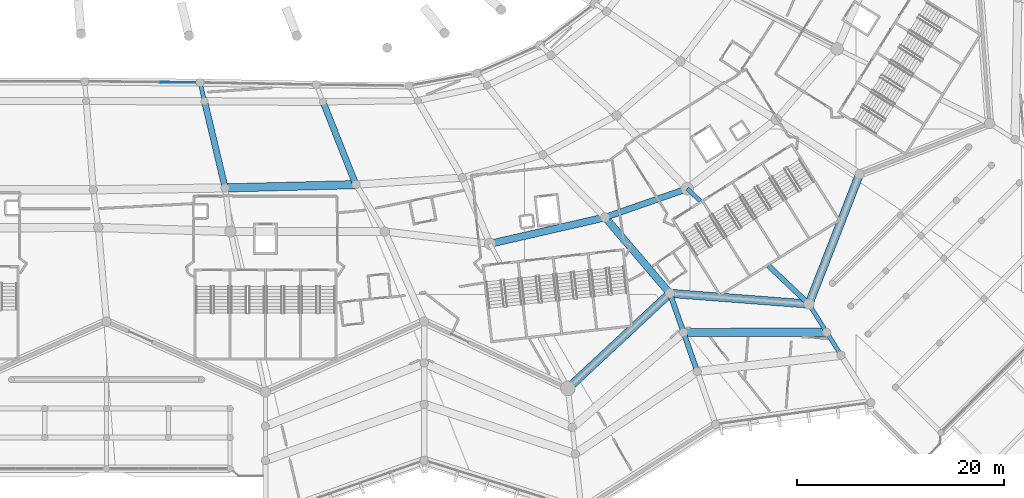
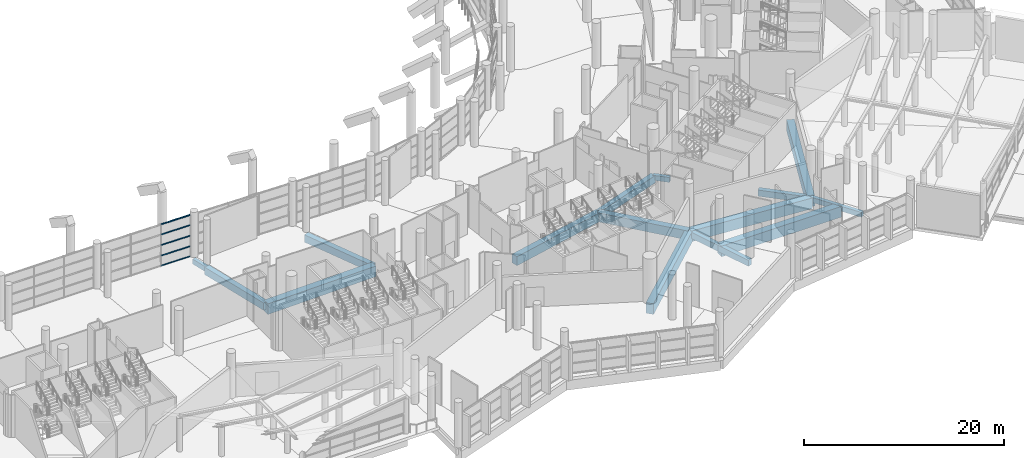
# One storey, part 43 of 271: 17 beams, 5 members, 1 element without a shape of its own.
"""IFC4 building model written with IfcOpenShell, lengths in metres."""

from ifc_helpers import new_model, si_unit, direction, frame, origin, origin_2d, place, context, subcontext, project, spatial, rectangle, extrude, material, layer, layer_set, material_profile, profile_set, type_object, element, aggregate, save


model = new_model("IFC4")

# Units and contexts
model_context = context("Model", 3, precision=1e-05, world=origin(), true_north=direction((0.0, 1.0)))
body_context = subcontext(model_context, "Body", "Model", "MODEL_VIEW")
ifc_project = project(units=[si_unit("LENGTHUNIT", "METRE"), si_unit("AREAUNIT", "SQUARE_METRE"), si_unit("VOLUMEUNIT", "CUBIC_METRE"), si_unit("PLANEANGLEUNIT", "RADIAN"), si_unit("MASSUNIT", "GRAM", prefix="KILO")], contexts=[model_context])

# Site, building, storey
site_placement = place(None, origin())
site = spatial("IfcSite", under=ifc_project, at=site_placement, CompositionType="ELEMENT")
building_placement = place(site_placement, origin())
building = spatial("IfcBuilding", under=site, at=building_placement, Name="Meseta Stadium", CompositionType="ELEMENT")
storey_placement = place(building_placement, frame((0.0, 0.0, 6.5)))
storey = spatial("IfcBuildingStorey", under=building, at=storey_placement, Name="L01", CompositionType="ELEMENT", Elevation=6.5)

# Curtain wall, members
ifc_material_1 = material(Name="Aluminium", Category="aluminium")
ifc_layer = layer(ifc_material_1, 0.199951171875)
ifc_layer_set = layer_set([ifc_layer], Name="Club glazing curtain wall")
curtain_wall_type = type_object("IfcCurtainWallType", Name="Club glazing curtain wall", PredefinedType="NOTDEFINED", material=ifc_layer_set)
curtain_wall_placement = place(storey_placement, origin())
curtain_wall = element("IfcCurtainWall", 1, at=curtain_wall_placement, inside=storey, type_object=curtain_wall_type, Name="Club glazing bay 47", PredefinedType="NOTDEFINED")
ifc_material_2 = material(Name="Aluminium", Category="aluminium")
ifc_material_profile_1 = material_profile(ifc_material_2, rectangle(XDim=0.06005859375, YDim=0.1201171875, at=origin_2d()), Name="CW 60x120")
ifc_profile_set_1 = profile_set([ifc_material_profile_1], Name="Aluminium")
member_type = type_object("IfcMemberType", Name="CW transom 60x120", PredefinedType="USERDEFINED", material=ifc_profile_set_1)
member_1_placement = place(storey_placement, frame((12.880615234375, -75.490234375, 0.06005859375), z_axis=(0.999947433941, -0.010253260722, 0.0), x_axis=(0.010253260722, 0.999947433941, 0.0)))
member_1 = element("IfcMember", 2, at=member_1_placement, type_object=member_type, Name="CWC transom 3.1", ObjectType="TRANSOM", PredefinedType="USERDEFINED", context=body_context, shape_type="SweptSolid", body=[
    extrude(rectangle(XDim=0.06005859375, YDim=0.1201171875, at=origin_2d()), origin(), (0.0, 0.0, 1.0), 3.357421875),
])
member_2_placement = place(storey_placement, frame((12.880615234375, -75.490234375, 1.28759765625), z_axis=(0.999947433941, -0.010253260722, 0.0), x_axis=(0.010253260722, 0.999947433941, 0.0)))
member_2 = element("IfcMember", 3, at=member_2_placement, type_object=member_type, Name="CWC transom 3.2", ObjectType="TRANSOM", PredefinedType="USERDEFINED", context=body_context, shape_type="SweptSolid", body=[
    extrude(rectangle(XDim=0.06005859375, YDim=0.1201171875, at=origin_2d()), origin(), (0.0, 0.0, 1.0), 3.357421875),
])
member_3_placement = place(storey_placement, frame((12.880615234375, -75.490234375, 2.574951171875), z_axis=(0.999947433941, -0.010253260722, 0.0), x_axis=(0.010253260722, 0.999947433941, 0.0)))
member_3 = element("IfcMember", 4, at=member_3_placement, type_object=member_type, Name="CWC transom 3.3", ObjectType="TRANSOM", PredefinedType="USERDEFINED", context=body_context, shape_type="SweptSolid", body=[
    extrude(rectangle(XDim=0.06005859375, YDim=0.1201171875, at=origin_2d()), origin(), (0.0, 0.0, 1.0), 3.357421875),
])
member_4_placement = place(storey_placement, frame((12.880615234375, -75.490234375, 3.862548828125), z_axis=(0.999947433941, -0.010253260722, 0.0), x_axis=(0.010253260722, 0.999947433941, 0.0)))
member_4 = element("IfcMember", 5, at=member_4_placement, type_object=member_type, Name="CWC transom 3.4", ObjectType="TRANSOM", PredefinedType="USERDEFINED", context=body_context, shape_type="SweptSolid", body=[
    extrude(rectangle(XDim=0.06005859375, YDim=0.1201171875, at=origin_2d()), origin(), (0.0, 0.0, 1.0), 3.357421875),
])
member_5_placement = place(storey_placement, frame((12.880615234375, -75.490234375, 5.090087890625), z_axis=(0.999947433941, -0.010253260722, 0.0), x_axis=(0.010253260722, 0.999947433941, 0.0)))
member_5 = element("IfcMember", 6, at=member_5_placement, type_object=member_type, Name="CWC transom 3.5", ObjectType="TRANSOM", PredefinedType="USERDEFINED", context=body_context, shape_type="SweptSolid", body=[
    extrude(rectangle(XDim=0.06005859375, YDim=0.1201171875, at=origin_2d()), origin(), (0.0, 0.0, 1.0), 3.357421875),
])
aggregate(curtain_wall, [member_1, member_2, member_3, member_4, member_5])

# Beams
ifc_material_3 = material(Name="Concrete C40/50", Category="concrete")
ifc_material_profile_2 = material_profile(ifc_material_3, rectangle(XDim=0.39990234375, YDim=0.60009765625, at=origin_2d()), Name="RC 400x600")
ifc_profile_set_2 = profile_set([ifc_material_profile_2], Name="Concrete C40/50")
beam_type_1 = type_object("IfcBeamType", Name="RC beam 400x600", PredefinedType="BEAM", material=ifc_profile_set_2)
beam_1_placement = place(storey_placement, frame((16.697509765625, -75.529296875, -0.64990234375), z_axis=(0.231608653228, -0.97280904177, 0.0), x_axis=(0.97280904177, 0.231608653228, 0.0)))
element("IfcBeam", 7, at=beam_1_placement, inside=storey, type_object=beam_type_1, Name="L01 radial beam frame 48 line C to D", PredefinedType="BEAM", context=body_context, shape_type="SweptSolid", body=[
    extrude(rectangle(XDim=0.39990234375, YDim=0.60009765625, at=origin_2d()), origin(), (0.0, 0.0, 1.0), 1.85302734375),
])
beam_2_placement = place(storey_placement, frame((63.731201171875, -85.77099609375, -0.64990234375), z_axis=(0.725600801439, -0.688115889187, 0.0), x_axis=(0.688115889187, 0.725600801439, 0.0)))
element("IfcBeam", 8, at=beam_2_placement, inside=storey, type_object=beam_type_1, Name="L01 radial beam frame 52 line P to R", PredefinedType="BEAM", context=body_context, shape_type="SweptSolid", body=[
    extrude(rectangle(XDim=0.39990234375, YDim=0.60009765625, at=origin_2d()), origin(), (0.0, 0.0, 1.0), 1.732421875),
])
beam_3_placement = place(storey_placement, frame((75.474609375, -96.908447265625, -0.64990234375), z_axis=(0.532008453304, -0.846739042216, 0.0), x_axis=(0.846739042216, 0.532008453304, 0.0)))
element("IfcBeam", 9, at=beam_3_placement, inside=storey, type_object=beam_type_1, Name="L01 radial beam frame 52 line R to M", PredefinedType="BEAM", context=body_context, shape_type="SweptSolid", body=[
    extrude(rectangle(XDim=0.39990234375, YDim=0.60009765625, at=origin_2d()), origin(), (0.0, 0.0, 1.0), 3.21923828125),
])
beam_4_placement = place(storey_placement, frame((77.187255859375, -99.63427734375, -0.64990234375), z_axis=(0.532083725107, -0.84669174407, 0.0), x_axis=(0.84669174407, 0.532083725107, 0.0)))
element("IfcBeam", 10, at=beam_4_placement, inside=storey, type_object=beam_type_1, Name="L01 radial beam frame 52 line M to Q", PredefinedType="BEAM", context=body_context, shape_type="SweptSolid", body=[
    extrude(rectangle(XDim=0.39990234375, YDim=0.60009765625, at=origin_2d()), origin(), (0.0, 0.0, 1.0), 2.619140625),
])
ifc_material_4 = material(Name="Concrete C40/50", Category="concrete")
ifc_material_profile_3 = material_profile(ifc_material_4, rectangle(XDim=0.5, YDim=0.75, at=origin_2d()), Name="RC 500x750")
ifc_profile_set_3 = profile_set([ifc_material_profile_3], Name="Concrete C40/50")
beam_type_2 = type_object("IfcBeamType", Name="RC beam 500x750", PredefinedType="BEAM", material=ifc_profile_set_3)
beam_5_placement = place(storey_placement, frame((71.57958984375, -93.214599609375, -0.72509765625), z_axis=(0.725596444109, -0.688120483852, 0.0), x_axis=(0.688120483852, 0.725596444109, 0.0)))
element("IfcBeam", 11, at=beam_5_placement, inside=storey, type_object=beam_type_2, Name="L01 radial beam frame 52 line P to R", PredefinedType="BEAM", context=body_context, shape_type="SweptSolid", body=[
    extrude(rectangle(XDim=0.5, YDim=0.75, at=origin_2d()), origin(), (0.0, 0.0, 1.0), 5.367919921875),
])
for number, where, z_axis, x_axis, name in (
    (12, (62.051513671875, -95.872802734375, -0.72509765625), (0.330328674497, -0.943865968666, 0.0), (0.943865968666, 0.330328674497, 0.0), "L01 radial beam frame 51 line R to M"),
    (13, (63.372802734375, -99.648193359375, -0.72509765625), (0.330255269735, -0.94389165523, 0.0), (0.94389165523, 0.330255269735, 0.0), "L01 radial beam frame 51 line M to Q"),
):
    element("IfcBeam", number, at=place(storey_placement, frame(where, z_axis=z_axis, x_axis=x_axis)), inside=storey, type_object=beam_type_2, Name=name, PredefinedType="BEAM", context=body_context, shape_type="SweptSolid", body=[
        extrude(rectangle(XDim=0.5, YDim=0.75, at=origin_2d()), origin(), (0.0, 0.0, 1.0), 4.0),
    ])
ifc_material_5 = material(Name="Concrete C40/50", Category="concrete")
ifc_material_profile_4 = material_profile(ifc_material_5, rectangle(XDim=0.60009765625, YDim=0.89990234375, at=origin_2d()), Name="RC 600x900")
ifc_profile_set_4 = profile_set([ifc_material_profile_4], Name="Concrete C40/50")
beam_type_3 = type_object("IfcBeamType", Name="RC beam 600x900", PredefinedType="BEAM", material=ifc_profile_set_4)
beam_6_placement = place(storey_placement, frame((55.799560546875, -88.541748046875, -0.800048828125), z_axis=(0.944055708451, 0.329786020537, 0.0), x_axis=(-0.329786020537, 0.944055708451, 0.0)))
element("IfcBeam", 14, at=beam_6_placement, inside=storey, type_object=beam_type_3, Name="L01 ring beam frame 51 line P", PredefinedType="BEAM", context=body_context, shape_type="SweptSolid", body=[
    extrude(rectangle(XDim=0.60009765625, YDim=0.89990234375, at=origin_2d()), origin(), (0.0, 0.0, 1.0), 8.401611328125),
])
beam_7_placement = place(storey_placement, frame((17.126708984375, -77.33203125, -0.800048828125), z_axis=(0.23161924801, -0.972806519279, 0.0), x_axis=(0.972806519279, 0.23161924801, 0.0)))
element("IfcBeam", 15, at=beam_7_placement, inside=storey, type_object=beam_type_3, Name="L01 radial beam frame 48 line D to E", PredefinedType="BEAM", context=body_context, shape_type="SweptSolid", body=[
    extrude(rectangle(XDim=0.60009765625, YDim=0.89990234375, at=origin_2d()), origin(), (0.0, 0.0, 1.0), 8.60009765625),
])
beam_8_placement = place(storey_placement, frame((28.564697265625, -77.38330078125, -0.800048828125), z_axis=(0.36885875695, -0.929485458424, 0.0), x_axis=(0.929485458424, 0.36885875695, 0.0)))
element("IfcBeam", 16, at=beam_8_placement, inside=storey, type_object=beam_type_3, Name="L01 radial beam frame 49 line D to E", PredefinedType="BEAM", context=body_context, shape_type="SweptSolid", body=[
    extrude(rectangle(XDim=0.60009765625, YDim=0.89990234375, at=origin_2d()), origin(), (0.0, 0.0, 1.0), 8.599853515625),
])
ifc_material_6 = material(Name="Concrete C40/50", Category="concrete")
ifc_material_profile_5 = material_profile(ifc_material_6, rectangle(XDim=0.699951171875, YDim=1.10009765625, at=origin_2d()), Name="RC 700x1100")
ifc_profile_set_5 = profile_set([ifc_material_profile_5], Name="Concrete C40/50")
beam_type_4 = type_object("IfcBeamType", Name="RC beam 700x1100", PredefinedType="BEAM", material=ifc_profile_set_5)
beam_9_placement = place(storey_placement, frame((44.6826171875, -91.0908203125, -0.89990234375), z_axis=(0.974704832518, 0.22349606141, 0.0), x_axis=(-0.22349606141, 0.974704832518, 0.0)))
element("IfcBeam", 17, at=beam_9_placement, inside=storey, type_object=beam_type_4, Name="L01 ring beam frame 50 line P", PredefinedType="BEAM", context=body_context, shape_type="SweptSolid", body=[
    extrude(rectangle(XDim=0.699951171875, YDim=1.10009765625, at=origin_2d()), origin(), (0.0, 0.0, 1.0), 11.405517578125),
])
beam_10_placement = place(storey_placement, frame((55.799560546875, -88.541748046875, -0.89990234375), z_axis=(0.648886206148, -0.760885465409, 0.0), x_axis=(0.760885465409, 0.648886206148, 0.0)))
element("IfcBeam", 18, at=beam_10_placement, inside=storey, type_object=beam_type_4, Name="L01 radial beam frame 51 line P to R", PredefinedType="BEAM", context=body_context, shape_type="SweptSolid", body=[
    extrude(rectangle(XDim=0.699951171875, YDim=1.10009765625, at=origin_2d()), origin(), (0.0, 0.0, 1.0), 9.635009765625),
])
ifc_material_7 = material(Name="Concrete C40/50", Category="concrete")
ifc_material_profile_6 = material_profile(ifc_material_7, rectangle(XDim=0.800048828125, YDim=1.300048828125, at=origin_2d()), Name="RC 800x1300")
ifc_profile_set_6 = profile_set([ifc_material_profile_6], Name="Concrete C40/50")
beam_type_5 = type_object("IfcBeamType", Name="RC beam 800x1300", PredefinedType="BEAM", material=ifc_profile_set_6)
beam_11_placement = place(storey_placement, frame((19.11865234375, -85.6982421875, -1.0), z_axis=(0.999675497622, 0.02547350496, 0.0), x_axis=(-0.02547350496, 0.999675497622, 0.0)))
element("IfcBeam", 19, at=beam_11_placement, inside=storey, type_object=beam_type_5, Name="L01 ring beam frame 48 line E", PredefinedType="BEAM", context=body_context, shape_type="SweptSolid", body=[
    extrude(rectangle(XDim=0.800048828125, YDim=1.300048828125, at=origin_2d()), origin(), (0.0, 0.0, 1.0), 12.622314453125),
])
for number, where, z_axis, x_axis, name in (
    (20, (52.202880859375, -105.0517578125, -1.0), (0.73154053301, 0.681797952889, 0.0), (-0.681797952889, 0.73154053301, 0.0), "L01 ring beam frame 50 line R"),
    (21, (62.051513671875, -95.872802734375, -1.0), (0.997036858399, -0.076925307894, 0.0), (0.076925307894, 0.997036858399, 0.0), "L01 ring beam frame 51 line R"),
    (22, (75.474609375, -96.908447265625, -1.0), (0.363287980868, 0.93167689837, 0.0), (-0.93167689837, 0.363287980868, 0.0), "L01 ring beam frame 52 line R"),
):
    element("IfcBeam", number, at=place(storey_placement, frame(where, z_axis=z_axis, x_axis=x_axis)), inside=storey, type_object=beam_type_5, Name=name, PredefinedType="BEAM", context=body_context, shape_type="SweptSolid", body=[
        extrude(rectangle(XDim=0.800048828125, YDim=1.300048828125, at=origin_2d()), origin(), (0.0, 0.0, 1.0), 13.462890625),
    ])
beam_12_placement = place(storey_placement, frame((63.372802734375, -99.648193359375, -1.0), z_axis=(0.999999492621, 0.00100735139, 0.0), x_axis=(-0.00100735139, 0.999999492621, 0.0)))
element("IfcBeam", 23, at=beam_12_placement, inside=storey, type_object=beam_type_5, Name="L01 ring beam frame 51 line M", PredefinedType="BEAM", context=body_context, shape_type="SweptSolid", body=[
    extrude(rectangle(XDim=0.800048828125, YDim=1.300048828125, at=origin_2d()), origin(), (0.0, 0.0, 1.0), 13.814453125),
])

save(model, "model.ifc")
